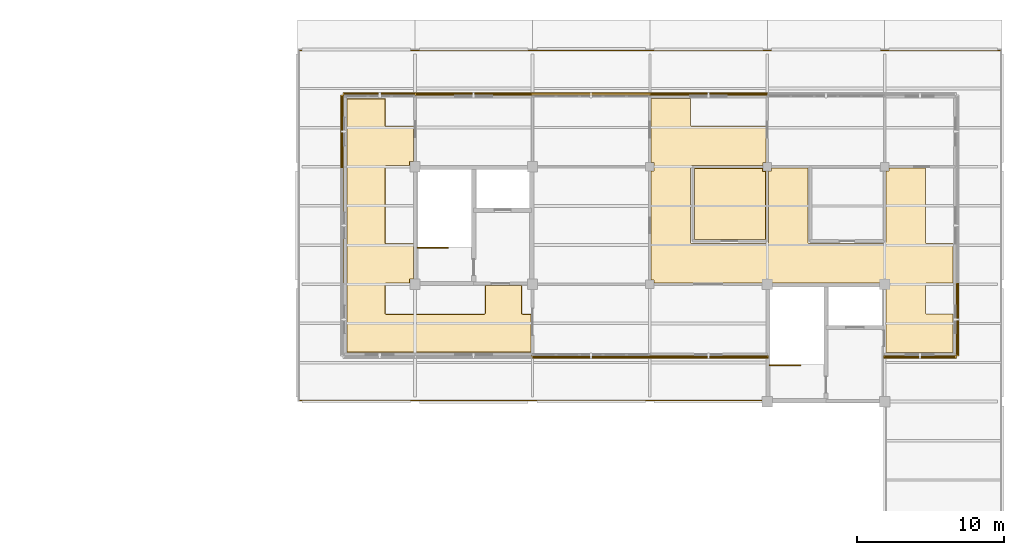
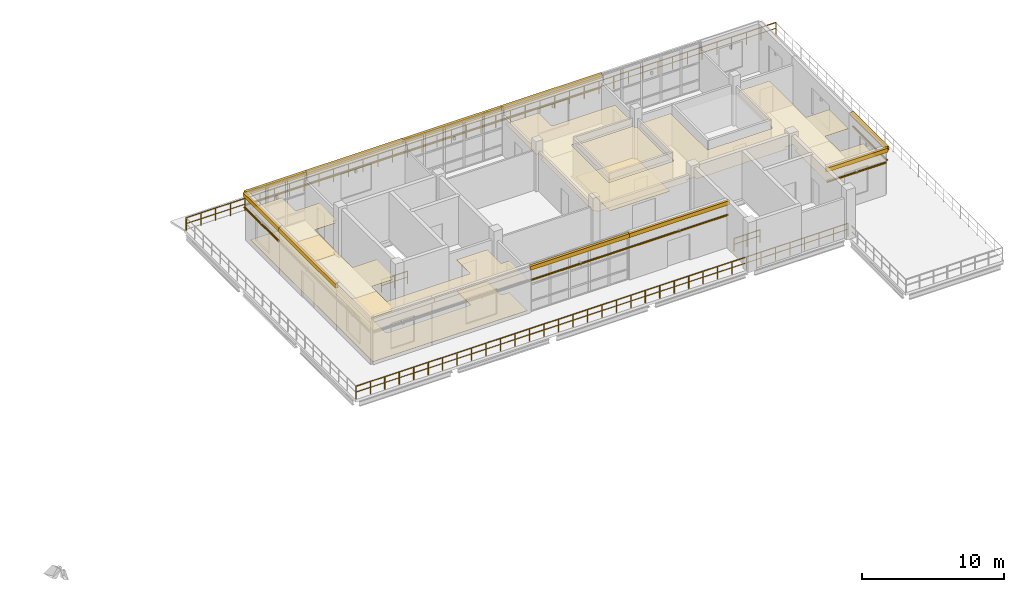
# One storey, part 23 of 24: 15 coverings, 9 shading devices, 4 railings.
"""IFC4 building model written with IfcOpenShell, lengths in metres."""

from ifc_helpers import new_model, si_unit, derived_unit, direction, frame, origin, origin_2d, place, context, subcontext, project, spatial, polyline, rectangle, circle, outline, extrude, material, layer, layer_set, material_profile, profile_set, type_object, element, save


model = new_model("IFC4")

# Units and contexts
model_context = context("Model", 3, precision=1e-05, world=origin(), true_north=direction((0.0, 1.0)))
body_context = subcontext(model_context, "Body", "Model", "MODEL_VIEW")
ifc_project = project(units=[si_unit("LENGTHUNIT", "METRE"), si_unit("AREAUNIT", "SQUARE_METRE"), si_unit("VOLUMEUNIT", "CUBIC_METRE"), si_unit("PLANEANGLEUNIT", "RADIAN"), si_unit("MASSUNIT", "GRAM", prefix="KILO"), derived_unit("THERMALTRANSMITTANCEUNIT", [(si_unit("MASSUNIT", "GRAM", prefix="KILO"), 1), (si_unit("TIMEUNIT", "SECOND"), -3), (si_unit("THERMODYNAMICTEMPERATUREUNIT", "KELVIN"), -1)])], contexts=[model_context])

# Site, building, storey
site_placement = place(None, origin())
site = spatial("IfcSite", under=ifc_project, at=site_placement, CompositionType="ELEMENT")
building_placement = place(site_placement, origin())
building = spatial("IfcBuilding", under=site, at=building_placement, Name="Veyamyaing Civic Hall", CompositionType="ELEMENT")
storey_placement = place(building_placement, frame((0.0, 0.0, 25.739990234375)))
storey = spatial("IfcBuildingStorey", under=building, at=storey_placement, Name="L06", CompositionType="ELEMENT", Elevation=25.739990234375)

# Coverings
ifc_material_1 = material(Name="White powder-coated aluminium 6063-T6", Category="aluminium")
ifc_layer_1 = layer(ifc_material_1, 0.2099609375, Name="White powder-coated aluminium 6063-T6")
ifc_layer_set_1 = layer_set([ifc_layer_1], Name="White powder-coated aluminium 6063-T6")
covering_type_1 = type_object("IfcCoveringType", Name="CL-03", PredefinedType="CLADDING", material=ifc_layer_set_1)
for number, where, z_axis, x_axis, name in (
    (1, (148.0, 91.0400390625, 3.73974609375), (0.0, 0.0, 1.0), (1.0, 0.0, 0.0), "Executive fascia white ribbon CL-03 L06-NE-S-2"),
    (2, (156.0, 91.0400390625, 3.73974609375), (0.0, 0.0, 1.0), (1.0, 0.0, 0.0), "Executive fascia white ribbon CL-03 L06-NE-S-3"),
):
    element("IfcCovering", number, at=place(storey_placement, frame(where, z_axis=z_axis, x_axis=x_axis)), inside=storey, type_object=covering_type_1, Name=name, PredefinedType="CLADDING", context=body_context, shape_type="SweptSolid", body=[
        extrude(rectangle(XDim=8.179931640625, YDim=0.2099609375, at=origin_2d()), origin(), (0.0, 0.0, 1.0), 0.340087890625),
    ])
for number, where, z_axis, x_axis, name in (
    (3, (170.39990234375, 91.0400390625, 3.73974609375), (0.0, 0.0, 1.0), (1.0, 0.0, 0.0), "Executive fascia white ribbon CL-03 L06-NE-S-5"),
    (4, (133.60009765625, 108.9599609375, 3.73974609375), (0.0, 0.0, 1.0), (1.0, 0.0, 0.0), "Executive fascia white ribbon CL-03 L06-NE-N-0"),
):
    element("IfcCovering", number, at=place(storey_placement, frame(where, z_axis=z_axis, x_axis=x_axis)), inside=storey, type_object=covering_type_1, Name=name, PredefinedType="CLADDING", context=body_context, shape_type="SweptSolid", body=[
        extrude(rectangle(XDim=4.97998046875, YDim=0.2099609375, at=origin_2d()), origin(), (0.0, 0.0, 1.0), 0.340087890625),
    ])
for number, where, z_axis, x_axis, name in (
    (5, (140.0, 108.9599609375, 3.73974609375), (0.0, 0.0, 1.0), (1.0, 0.0, 0.0), "Executive fascia white ribbon CL-03 L06-NE-N-1"),
    (6, (148.0, 108.9599609375, 3.73974609375), (0.0, 0.0, 1.0), (1.0, 0.0, 0.0), "Executive fascia white ribbon CL-03 L06-NE-N-2"),
    (7, (156.0, 108.9599609375, 3.73974609375), (0.0, 0.0, 1.0), (1.0, 0.0, 0.0), "Executive fascia white ribbon CL-03 L06-NE-N-3"),
    (8, (131.0400390625, 100.0, 3.73974609375), (0.0, 0.0, 1.0), (0.0, 1.0, 0.0), "Executive fascia white ribbon CL-03 L06-NE-W-1"),
):
    element("IfcCovering", number, at=place(storey_placement, frame(where, z_axis=z_axis, x_axis=x_axis)), inside=storey, type_object=covering_type_1, Name=name, PredefinedType="CLADDING", context=body_context, shape_type="SweptSolid", body=[
        extrude(rectangle(XDim=8.179931640625, YDim=0.2099609375, at=origin_2d()), origin(), (0.0, 0.0, 1.0), 0.340087890625),
    ])
for number, where, z_axis, x_axis, name in (
    (9, (131.0400390625, 106.39990234375, 3.73974609375), (0.0, 0.0, 1.0), (0.0, 1.0, 0.0), "Executive fascia white ribbon CL-03 L06-NE-W-2"),
    (10, (172.9599609375, 93.60009765625, 3.73974609375), (0.0, 0.0, 1.0), (0.0, 1.0, 0.0), "Executive fascia white ribbon CL-03 L06-NE-E-0"),
):
    element("IfcCovering", number, at=place(storey_placement, frame(where, z_axis=z_axis, x_axis=x_axis)), inside=storey, type_object=covering_type_1, Name=name, PredefinedType="CLADDING", context=body_context, shape_type="SweptSolid", body=[
        extrude(rectangle(XDim=4.97998046875, YDim=0.2099609375, at=origin_2d()), origin(), (0.0, 0.0, 1.0), 0.340087890625),
    ])
ifc_material_2 = material(Name="Perforated acoustic gypsum ceiling board")
ifc_layer_2 = layer(ifc_material_2, 0.02490234375, Name="Perforated acoustic gypsum ceiling board")
ifc_layer_set_2 = layer_set([ifc_layer_2], Name="Perforated acoustic gypsum ceiling board")
covering_type_2 = type_object("IfcCoveringType", Name="CLG-01", PredefinedType="CEILING", material=ifc_layer_set_2)
covering_1_placement = place(storey_placement, frame((0.0, 0.0, 2.699951171875)))
element("IfcCovering", 11, at=covering_1_placement, inside=storey, type_object=covering_type_2, Name="Acoustic suspended ceiling CLG-01 L06-C03", PredefinedType="CEILING", context=body_context, shape_type="SweptSolid", body=[
    extrude(outline(polyline([(133.9755859375, 106.843994140625), (133.984375, 106.81494140625), (134.002685546875, 106.79248046875), (134.029052734375, 106.7783203125), (134.0517578125, 106.77490234375), (135.925048828125, 106.77490234375), (135.925048828125, 104.3349609375), (135.6650390625, 104.3349609375), (135.6650390625, 104.074951171875), (134.0439453125, 104.074462890625), (134.014892578125, 104.065673828125), (133.992431640625, 104.047119140625), (133.978515625, 104.02099609375), (133.97509765625, 103.998291015625), (133.97509765625, 98.851806640625), (133.978515625, 98.828369140625), (133.987548828125, 98.80908203125), (134.009033203125, 98.78759765625), (134.0283203125, 98.778564453125), (134.0517578125, 98.77490234375), (135.925048828125, 98.77490234375), (135.925048828125, 96.3349609375), (135.6650390625, 96.3349609375), (135.6650390625, 96.074951171875), (134.0517578125, 96.074951171875), (134.027587890625, 96.0712890625), (134.015869140625, 96.06640625), (133.992431640625, 96.047119140625), (133.978515625, 96.02099609375), (133.97509765625, 95.998291015625), (133.97509765625, 94.0517578125), (133.978515625, 94.0283203125), (133.98779296875, 94.008544921875), (134.0029296875, 93.99169921875), (134.0146484375, 93.98388671875), (134.027587890625, 93.978515625), (134.0517578125, 93.97509765625), (140.715087890625, 93.976806640625), (140.734619140625, 93.98388671875), (140.757568359375, 94.002685546875), (140.771484375, 94.029052734375), (140.77490234375, 94.0517578125), (140.77490234375, 95.925048828125), (143.27490234375, 95.925048828125), (143.27490234375, 94.0517578125), (143.278564453125, 94.0283203125), (143.287841796875, 94.008544921875), (143.302490234375, 93.9921875), (143.3212890625, 93.98095703125), (143.34326171875, 93.9755859375), (143.925048828125, 93.97509765625), (143.925048828125, 91.35498046875), (131.35498046875, 91.35498046875), (131.35498046875, 108.64501953125), (133.97509765625, 108.64501953125), (133.9755859375, 106.843994140625)])), origin(), (0.0, 0.0, 1.0), 0.025146484375),
])
covering_2_placement = place(storey_placement, frame((0.0, 0.0, 2.699951171875)))
element("IfcCovering", 12, at=covering_2_placement, inside=storey, type_object=covering_type_2, Name="Acoustic suspended ceiling CLG-01 L06-C04", PredefinedType="CEILING", context=body_context, shape_type="SweptSolid", body=[
    extrude(outline(polyline([(154.8349609375, 104.072998046875), (154.8154296875, 104.066162109375), (154.79248046875, 104.047119140625), (154.7783203125, 104.02099609375), (154.77490234375, 103.998291015625), (154.77490234375, 98.8525390625), (154.78125, 98.821533203125), (154.79736328125, 98.79736328125), (154.821533203125, 98.78125), (154.8525390625, 98.77490234375), (159.99755859375, 98.77490234375), (160.028564453125, 98.78125), (160.052734375, 98.79736328125), (160.06884765625, 98.821533203125), (160.074951171875, 98.8525390625), (160.074951171875, 103.715087890625), (160.284912109375, 103.715087890625), (160.284912109375, 103.925048828125), (162.77490234375, 103.925048828125), (162.77490234375, 98.851318359375), (162.776611328125, 98.8359375), (162.7841796875, 98.814208984375), (162.791748046875, 98.802978515625), (162.80859375, 98.787841796875), (162.828369140625, 98.778564453125), (162.851806640625, 98.77490234375), (167.998291015625, 98.77490234375), (168.021728515625, 98.778564453125), (168.041015625, 98.78759765625), (168.0625, 98.80908203125), (168.071533203125, 98.828369140625), (168.074951171875, 98.851806640625), (168.074951171875, 103.715087890625), (168.284912109375, 103.715087890625), (168.284912109375, 103.925048828125), (170.77490234375, 103.925048828125), (170.77490234375, 98.8525390625), (170.78125, 98.82080078125), (170.792236328125, 98.802490234375), (170.80859375, 98.787841796875), (170.828369140625, 98.778564453125), (170.851806640625, 98.77490234375), (172.64501953125, 98.77490234375), (172.64501953125, 96.074951171875), (170.851806640625, 96.074951171875), (170.82763671875, 96.0712890625), (170.81591796875, 96.06640625), (170.79248046875, 96.047119140625), (170.7783203125, 96.02099609375), (170.77490234375, 95.998291015625), (170.77685546875, 94.034912109375), (170.783935546875, 94.015380859375), (170.802734375, 93.992431640625), (170.8291015625, 93.978515625), (170.851806640625, 93.97509765625), (172.64501953125, 93.97509765625), (172.64501953125, 91.35498046875), (168.074951171875, 91.35498046875), (168.074951171875, 95.6650390625), (168.3349609375, 95.6650390625), (168.3349609375, 96.3349609375), (167.6650390625, 96.3349609375), (167.6650390625, 96.074951171875), (160.3349609375, 96.074951171875), (160.3349609375, 96.3349609375), (159.6650390625, 96.3349609375), (159.6650390625, 96.074951171875), (152.284912109375, 96.074951171875), (152.284912109375, 96.284912109375), (152.074951171875, 96.284912109375), (152.074951171875, 103.715087890625), (152.284912109375, 103.715087890625), (152.284912109375, 104.284912109375), (152.074951171875, 104.284912109375), (152.074951171875, 108.64501953125), (154.77490234375, 108.64501953125), (154.77490234375, 106.851806640625), (154.7783203125, 106.8291015625), (154.79248046875, 106.802734375), (154.8154296875, 106.783935546875), (154.8349609375, 106.77685546875), (159.925048828125, 106.77490234375), (159.925048828125, 104.284912109375), (159.715087890625, 104.284912109375), (159.715087890625, 104.074951171875), (154.8349609375, 104.072998046875)])), origin(), (0.0, 0.0, 1.0), 0.025146484375),
])
covering_3_placement = place(storey_placement, frame((0.0, 0.0, 2.699951171875)))
element("IfcCovering", 13, at=covering_3_placement, inside=storey, type_object=covering_type_2, Name="Acoustic suspended ceiling CLG-01 L06-R003", PredefinedType="CEILING", context=body_context, shape_type="SweptSolid", body=[
    extrude(outline(polyline([(155.02490234375, 103.905029296875), (159.715087890625, 103.905029296875), (159.715087890625, 103.715087890625), (159.905029296875, 103.715087890625), (159.905029296875, 99.02490234375), (155.02490234375, 99.02490234375), (155.02490234375, 103.905029296875)])), origin(), (0.0, 0.0, 1.0), 0.025146484375),
])
ifc_material_3 = material(Name="Polished Mandalay marble and terrazzo flooring", Category="masonry")
ifc_layer_3 = layer(ifc_material_3, 0.030029296875, Name="Polished Mandalay marble and terrazzo flooring")
ifc_layer_set_3 = layer_set([ifc_layer_3], Name="Polished Mandalay marble and terrazzo flooring")
covering_type_3 = type_object("IfcCoveringType", Name="FLR-01", PredefinedType="FLOORING", material=ifc_layer_set_3)
covering_4_placement = place(storey_placement, origin())
element("IfcCovering", 14, at=covering_4_placement, inside=storey, type_object=covering_type_3, Name="Stone and terrazzo flooring FLR-01 L06-C03", PredefinedType="FLOORING", context=body_context, shape_type="SweptSolid", body=[
    extrude(outline(polyline([(133.950439453125, 106.840087890625), (133.9619140625, 106.802978515625), (133.986572265625, 106.772705078125), (134.02099609375, 106.75439453125), (134.050048828125, 106.75), (135.89990234375, 106.75), (135.89990234375, 104.360107421875), (135.639892578125, 104.360107421875), (135.639892578125, 104.10009765625), (134.040283203125, 104.099609375), (134.0029296875, 104.088134765625), (133.97265625, 104.0634765625), (133.954345703125, 104.029052734375), (133.949951171875, 104.0), (133.949951171875, 98.85009765625), (133.954345703125, 98.821044921875), (133.966796875, 98.79443359375), (133.994384765625, 98.766845703125), (134.02099609375, 98.75439453125), (134.050048828125, 98.75), (135.89990234375, 98.75), (135.89990234375, 96.360107421875), (135.639892578125, 96.360107421875), (135.639892578125, 96.10009765625), (134.050048828125, 96.10009765625), (134.02099609375, 96.095703125), (134.0029296875, 96.088134765625), (133.97265625, 96.0634765625), (133.954345703125, 96.029052734375), (133.949951171875, 96.0), (133.949951171875, 94.050048828125), (133.954345703125, 94.02099609375), (133.966796875, 93.994384765625), (133.986572265625, 93.97265625), (134.0029296875, 93.9619140625), (134.02099609375, 93.954345703125), (134.050048828125, 93.949951171875), (140.719482421875, 93.951904296875), (140.7470703125, 93.9619140625), (140.77734375, 93.986572265625), (140.795654296875, 94.02099609375), (140.800048828125, 94.050048828125), (140.800048828125, 95.89990234375), (143.25, 95.89990234375), (143.25, 94.050048828125), (143.25439453125, 94.02099609375), (143.266845703125, 93.994384765625), (143.28662109375, 93.97265625), (143.311767578125, 93.95751953125), (143.340087890625, 93.950439453125), (143.89990234375, 93.949951171875), (143.89990234375, 91.3798828125), (131.3798828125, 91.3798828125), (131.3798828125, 108.6201171875), (133.949951171875, 108.6201171875), (133.950439453125, 106.840087890625)])), origin(), (0.0, 0.0, 1.0), 0.030029296875),
])
covering_5_placement = place(storey_placement, origin())
element("IfcCovering", 15, at=covering_5_placement, inside=storey, type_object=covering_type_3, Name="Stone and terrazzo flooring FLR-01 L06-R003", PredefinedType="FLOORING", context=body_context, shape_type="SweptSolid", body=[
    extrude(outline(polyline([(155.050048828125, 103.8798828125), (159.68994140625, 103.8798828125), (159.68994140625, 103.68994140625), (159.8798828125, 103.68994140625), (159.8798828125, 99.050048828125), (155.050048828125, 99.050048828125), (155.050048828125, 103.8798828125)])), origin(), (0.0, 0.0, 1.0), 0.030029296875),
])

# Railings
ifc_material_4 = material(Name="Steel S355J2", Category="steel")
railing_type = type_object("IfcRailingType", Name="RL-01", PredefinedType="BALUSTRADE", material=ifc_material_4)
railing_1_placement = place(storey_placement, frame((128.080078125, 111.919921875, 0.0)))
element("IfcRailing", 16, at=railing_1_placement, inside=storey, type_object=railing_type, Name="Setback terrace balustrade RL-01 L06.2.2", PredefinedType="BALUSTRADE", context=body_context, shape_type="SweptSolid", body=[
    extrude(circle(Radius=0.02392578125, at=origin_2d()), frame((0.0, 0.0, 1.076171875), z_axis=(1.0, 0.0, 0.0), x_axis=(0.0, 1.0, 0.0)), (0.0, 0.0, 1.0), 47.83984375),
    extrude(circle(Radius=0.01416015625, at=origin_2d()), frame((0.0, 0.0, 0.572021484375), z_axis=(1.0, 0.0, 0.0), x_axis=(0.0, 1.0, 0.0)), (0.0, 0.0, 1.0), 47.83984375),
    extrude(circle(Radius=0.02099609375, at=origin_2d()), origin(), (0.0, 0.0, 1.0), 1.052001953125),
    extrude(circle(Radius=0.02099609375, at=origin_2d()), frame((1.196044921875, 0.0, 0.0)), (0.0, 0.0, 1.0), 1.052001953125),
    extrude(circle(Radius=0.02099609375, at=origin_2d()), frame((2.39208984375, 0.0, 0.0)), (0.0, 0.0, 1.0), 1.052001953125),
    extrude(circle(Radius=0.02099609375, at=origin_2d()), frame((3.587890625, 0.0, 0.0)), (0.0, 0.0, 1.0), 1.052001953125),
    extrude(circle(Radius=0.02099609375, at=origin_2d()), frame((4.783935546875, 0.0, 0.0)), (0.0, 0.0, 1.0), 1.052001953125),
    extrude(circle(Radius=0.02099609375, at=origin_2d()), frame((5.97998046875, 0.0, 0.0)), (0.0, 0.0, 1.0), 1.052001953125),
    extrude(circle(Radius=0.02099609375, at=origin_2d()), frame((7.176025390625, 0.0, 0.0)), (0.0, 0.0, 1.0), 1.052001953125),
    extrude(circle(Radius=0.02099609375, at=origin_2d()), frame((8.3720703125, 0.0, 0.0)), (0.0, 0.0, 1.0), 1.052001953125),
    extrude(circle(Radius=0.02099609375, at=origin_2d()), frame((9.56787109375, 0.0, 0.0)), (0.0, 0.0, 1.0), 1.052001953125),
    extrude(circle(Radius=0.02099609375, at=origin_2d()), frame((10.763916015625, 0.0, 0.0)), (0.0, 0.0, 1.0), 1.052001953125),
    extrude(circle(Radius=0.02099609375, at=origin_2d()), frame((11.9599609375, 0.0, 0.0)), (0.0, 0.0, 1.0), 1.052001953125),
    extrude(circle(Radius=0.02099609375, at=origin_2d()), frame((13.156005859375, 0.0, 0.0)), (0.0, 0.0, 1.0), 1.052001953125),
    extrude(circle(Radius=0.02099609375, at=origin_2d()), frame((14.35205078125, 0.0, 0.0)), (0.0, 0.0, 1.0), 1.052001953125),
    extrude(circle(Radius=0.02099609375, at=origin_2d()), frame((15.5478515625, 0.0, 0.0)), (0.0, 0.0, 1.0), 1.052001953125),
    extrude(circle(Radius=0.02099609375, at=origin_2d()), frame((16.743896484375, 0.0, 0.0)), (0.0, 0.0, 1.0), 1.052001953125),
    extrude(circle(Radius=0.02099609375, at=origin_2d()), frame((17.93994140625, 0.0, 0.0)), (0.0, 0.0, 1.0), 1.052001953125),
    extrude(circle(Radius=0.02099609375, at=origin_2d()), frame((19.135986328125, 0.0, 0.0)), (0.0, 0.0, 1.0), 1.052001953125),
    extrude(circle(Radius=0.02099609375, at=origin_2d()), frame((20.33203125, 0.0, 0.0)), (0.0, 0.0, 1.0), 1.052001953125),
    extrude(circle(Radius=0.02099609375, at=origin_2d()), frame((21.52783203125, 0.0, 0.0)), (0.0, 0.0, 1.0), 1.052001953125),
    extrude(circle(Radius=0.02099609375, at=origin_2d()), frame((22.723876953125, 0.0, 0.0)), (0.0, 0.0, 1.0), 1.052001953125),
    extrude(circle(Radius=0.02099609375, at=origin_2d()), frame((23.919921875, 0.0, 0.0)), (0.0, 0.0, 1.0), 1.052001953125),
    extrude(circle(Radius=0.02099609375, at=origin_2d()), frame((25.115966796875, 0.0, 0.0)), (0.0, 0.0, 1.0), 1.052001953125),
    extrude(circle(Radius=0.02099609375, at=origin_2d()), frame((26.31201171875, 0.0, 0.0)), (0.0, 0.0, 1.0), 1.052001953125),
    extrude(circle(Radius=0.02099609375, at=origin_2d()), frame((27.5078125, 0.0, 0.0)), (0.0, 0.0, 1.0), 1.052001953125),
    extrude(circle(Radius=0.02099609375, at=origin_2d()), frame((28.703857421875, 0.0, 0.0)), (0.0, 0.0, 1.0), 1.052001953125),
    extrude(circle(Radius=0.02099609375, at=origin_2d()), frame((29.89990234375, 0.0, 0.0)), (0.0, 0.0, 1.0), 1.052001953125),
    extrude(circle(Radius=0.02099609375, at=origin_2d()), frame((31.095947265625, 0.0, 0.0)), (0.0, 0.0, 1.0), 1.052001953125),
    extrude(circle(Radius=0.02099609375, at=origin_2d()), frame((32.2919921875, 0.0, 0.0)), (0.0, 0.0, 1.0), 1.052001953125),
    extrude(circle(Radius=0.02099609375, at=origin_2d()), frame((33.48779296875, 0.0, 0.0)), (0.0, 0.0, 1.0), 1.052001953125),
    extrude(circle(Radius=0.02099609375, at=origin_2d()), frame((34.683837890625, 0.0, 0.0)), (0.0, 0.0, 1.0), 1.052001953125),
    extrude(circle(Radius=0.02099609375, at=origin_2d()), frame((35.8798828125, 0.0, 0.0)), (0.0, 0.0, 1.0), 1.052001953125),
    extrude(circle(Radius=0.02099609375, at=origin_2d()), frame((37.075927734375, 0.0, 0.0)), (0.0, 0.0, 1.0), 1.052001953125),
    extrude(circle(Radius=0.02099609375, at=origin_2d()), frame((38.27197265625, 0.0, 0.0)), (0.0, 0.0, 1.0), 1.052001953125),
    extrude(circle(Radius=0.02099609375, at=origin_2d()), frame((39.4677734375, 0.0, 0.0)), (0.0, 0.0, 1.0), 1.052001953125),
    extrude(circle(Radius=0.02099609375, at=origin_2d()), frame((40.663818359375, 0.0, 0.0)), (0.0, 0.0, 1.0), 1.052001953125),
    extrude(circle(Radius=0.02099609375, at=origin_2d()), frame((41.85986328125, 0.0, 0.0)), (0.0, 0.0, 1.0), 1.052001953125),
    extrude(circle(Radius=0.02099609375, at=origin_2d()), frame((43.055908203125, 0.0, 0.0)), (0.0, 0.0, 1.0), 1.052001953125),
    extrude(circle(Radius=0.02099609375, at=origin_2d()), frame((44.251953125, 0.0, 0.0)), (0.0, 0.0, 1.0), 1.052001953125),
    extrude(circle(Radius=0.02099609375, at=origin_2d()), frame((45.44775390625, 0.0, 0.0)), (0.0, 0.0, 1.0), 1.052001953125),
    extrude(circle(Radius=0.02099609375, at=origin_2d()), frame((46.643798828125, 0.0, 0.0)), (0.0, 0.0, 1.0), 1.052001953125),
    extrude(circle(Radius=0.02099609375, at=origin_2d()), frame((47.83984375, 0.0, 0.0)), (0.0, 0.0, 1.0), 1.052001953125),
])
railing_2_placement = place(storey_placement, frame((168.0, 88.080078125, 0.0)))
element("IfcRailing", 17, at=railing_2_placement, inside=storey, type_object=railing_type, Name="Setback terrace balustrade RL-01 L06.2.22", PredefinedType="BALUSTRADE", context=body_context, shape_type="SweptSolid", body=[
    extrude(circle(Radius=0.02392578125, at=origin_2d()), frame((0.0, 0.0, 1.076171875), z_axis=(-1.0, 0.0, 0.0), x_axis=(0.0, -1.0, 0.0)), (0.0, 0.0, 1.0), 39.919921875),
    extrude(circle(Radius=0.01416015625, at=origin_2d()), frame((0.0, 0.0, 0.572021484375), z_axis=(-1.0, 0.0, 0.0), x_axis=(0.0, -1.0, 0.0)), (0.0, 0.0, 1.0), 39.919921875),
    extrude(circle(Radius=0.02099609375, at=origin_2d()), origin(), (0.0, 0.0, 1.0), 1.052001953125),
    extrude(circle(Radius=0.02099609375, at=origin_2d()), frame((-1.174072265625, 0.0, 0.0)), (0.0, 0.0, 1.0), 1.052001953125),
    extrude(circle(Radius=0.02099609375, at=origin_2d()), frame((-2.34814453125, 0.0, 0.0)), (0.0, 0.0, 1.0), 1.052001953125),
    extrude(circle(Radius=0.02099609375, at=origin_2d()), frame((-3.5224609375, 0.0, 0.0)), (0.0, 0.0, 1.0), 1.052001953125),
    extrude(circle(Radius=0.02099609375, at=origin_2d()), frame((-4.696533203125, 0.0, 0.0)), (0.0, 0.0, 1.0), 1.052001953125),
    extrude(circle(Radius=0.02099609375, at=origin_2d()), frame((-5.87060546875, 0.0, 0.0)), (0.0, 0.0, 1.0), 1.052001953125),
    extrude(circle(Radius=0.02099609375, at=origin_2d()), frame((-7.044677734375, 0.0, 0.0)), (0.0, 0.0, 1.0), 1.052001953125),
    extrude(circle(Radius=0.02099609375, at=origin_2d()), frame((-8.21875, 0.0, 0.0)), (0.0, 0.0, 1.0), 1.052001953125),
    extrude(circle(Radius=0.02099609375, at=origin_2d()), frame((-9.392822265625, 0.0, 0.0)), (0.0, 0.0, 1.0), 1.052001953125),
    extrude(circle(Radius=0.02099609375, at=origin_2d()), frame((-10.567138671875, 0.0, 0.0)), (0.0, 0.0, 1.0), 1.052001953125),
    extrude(circle(Radius=0.02099609375, at=origin_2d()), frame((-11.7412109375, 0.0, 0.0)), (0.0, 0.0, 1.0), 1.052001953125),
    extrude(circle(Radius=0.02099609375, at=origin_2d()), frame((-12.915283203125, 0.0, 0.0)), (0.0, 0.0, 1.0), 1.052001953125),
    extrude(circle(Radius=0.02099609375, at=origin_2d()), frame((-14.08935546875, 0.0, 0.0)), (0.0, 0.0, 1.0), 1.052001953125),
    extrude(circle(Radius=0.02099609375, at=origin_2d()), frame((-15.263427734375, 0.0, 0.0)), (0.0, 0.0, 1.0), 1.052001953125),
    extrude(circle(Radius=0.02099609375, at=origin_2d()), frame((-16.4375, 0.0, 0.0)), (0.0, 0.0, 1.0), 1.052001953125),
    extrude(circle(Radius=0.02099609375, at=origin_2d()), frame((-17.61181640625, 0.0, 0.0)), (0.0, 0.0, 1.0), 1.052001953125),
    extrude(circle(Radius=0.02099609375, at=origin_2d()), frame((-18.785888671875, 0.0, 0.0)), (0.0, 0.0, 1.0), 1.052001953125),
    extrude(circle(Radius=0.02099609375, at=origin_2d()), frame((-19.9599609375, 0.0, 0.0)), (0.0, 0.0, 1.0), 1.052001953125),
    extrude(circle(Radius=0.02099609375, at=origin_2d()), frame((-21.134033203125, 0.0, 0.0)), (0.0, 0.0, 1.0), 1.052001953125),
    extrude(circle(Radius=0.02099609375, at=origin_2d()), frame((-22.30810546875, 0.0, 0.0)), (0.0, 0.0, 1.0), 1.052001953125),
    extrude(circle(Radius=0.02099609375, at=origin_2d()), frame((-23.482421875, 0.0, 0.0)), (0.0, 0.0, 1.0), 1.052001953125),
    extrude(circle(Radius=0.02099609375, at=origin_2d()), frame((-24.656494140625, 0.0, 0.0)), (0.0, 0.0, 1.0), 1.052001953125),
    extrude(circle(Radius=0.02099609375, at=origin_2d()), frame((-25.83056640625, 0.0, 0.0)), (0.0, 0.0, 1.0), 1.052001953125),
    extrude(circle(Radius=0.02099609375, at=origin_2d()), frame((-27.004638671875, 0.0, 0.0)), (0.0, 0.0, 1.0), 1.052001953125),
    extrude(circle(Radius=0.02099609375, at=origin_2d()), frame((-28.1787109375, 0.0, 0.0)), (0.0, 0.0, 1.0), 1.052001953125),
    extrude(circle(Radius=0.02099609375, at=origin_2d()), frame((-29.352783203125, 0.0, 0.0)), (0.0, 0.0, 1.0), 1.052001953125),
    extrude(circle(Radius=0.02099609375, at=origin_2d()), frame((-30.527099609375, 0.0, 0.0)), (0.0, 0.0, 1.0), 1.052001953125),
    extrude(circle(Radius=0.02099609375, at=origin_2d()), frame((-31.701171875, 0.0, 0.0)), (0.0, 0.0, 1.0), 1.052001953125),
    extrude(circle(Radius=0.02099609375, at=origin_2d()), frame((-32.875244140625, 0.0, 0.0)), (0.0, 0.0, 1.0), 1.052001953125),
    extrude(circle(Radius=0.02099609375, at=origin_2d()), frame((-34.04931640625, 0.0, 0.0)), (0.0, 0.0, 1.0), 1.052001953125),
    extrude(circle(Radius=0.02099609375, at=origin_2d()), frame((-35.223388671875, 0.0, 0.0)), (0.0, 0.0, 1.0), 1.052001953125),
    extrude(circle(Radius=0.02099609375, at=origin_2d()), frame((-36.3974609375, 0.0, 0.0)), (0.0, 0.0, 1.0), 1.052001953125),
    extrude(circle(Radius=0.02099609375, at=origin_2d()), frame((-37.57177734375, 0.0, 0.0)), (0.0, 0.0, 1.0), 1.052001953125),
    extrude(circle(Radius=0.02099609375, at=origin_2d()), frame((-38.745849609375, 0.0, 0.0)), (0.0, 0.0, 1.0), 1.052001953125),
    extrude(circle(Radius=0.02099609375, at=origin_2d()), frame((-39.919921875, 0.0, 0.0)), (0.0, 0.0, 1.0), 1.052001953125),
])
for number, where, name in (
    (18, (160.159912109375, 90.47998046875, 0.0), "Top-landing stair well guard RL-01 ST-03 L06"),
    (19, (136.159912109375, 98.47998046875, 0.0), "Top-landing stair well guard RL-01 ST-04 L06"),
):
    element("IfcRailing", number, at=place(storey_placement, frame(where)), inside=storey, type_object=railing_type, Name=name, PredefinedType="BALUSTRADE", context=body_context, shape_type="SweptSolid", body=[
        extrude(circle(Radius=0.02392578125, at=origin_2d()), frame((0.0, 0.0, 1.076171875), z_axis=(1.0, 0.0, 0.0), x_axis=(0.0, 1.0, 0.0)), (0.0, 0.0, 1.0), 2.10009765625),
        extrude(circle(Radius=0.01416015625, at=origin_2d()), frame((0.0, 0.0, 0.572021484375), z_axis=(1.0, 0.0, 0.0), x_axis=(0.0, 1.0, 0.0)), (0.0, 0.0, 1.0), 2.10009765625),
        extrude(circle(Radius=0.02099609375, at=origin_2d()), origin(), (0.0, 0.0, 1.0), 1.052001953125),
        extrude(circle(Radius=0.02099609375, at=origin_2d()), frame((1.050048828125, 0.0, 0.0)), (0.0, 0.0, 1.0), 1.052001953125),
        extrude(circle(Radius=0.02099609375, at=origin_2d()), frame((2.10009765625, 0.0, 0.0)), (0.0, 0.0, 1.0), 1.052001953125),
    ])

# Shading devices
ifc_material_profile = material_profile(ifc_material_1, circle(Radius=0.074951171875, at=origin_2d()), Name="SHADE-TUBE-150")
ifc_profile_set = profile_set([ifc_material_profile], Name="White powder-coated aluminium 6063-T6")
shading_device_type = type_object("IfcShadingDeviceType", Name="SH-03", PredefinedType="USERDEFINED", material=ifc_profile_set)
for number, where, z_axis, x_axis, name in (
    (20, (144.0, 91.010009765625, 2.85009765625), (1.0, 0.0, 0.0), (0.0, 1.0, 0.0), "Executive sunshade ribbon SH-03 L06-NE-S-2"),
    (21, (152.0, 91.010009765625, 2.85009765625), (1.0, 0.0, 0.0), (0.0, 1.0, 0.0), "Executive sunshade ribbon SH-03 L06-NE-S-3"),
):
    element("IfcShadingDevice", number, at=place(storey_placement, frame(where, z_axis=z_axis, x_axis=x_axis)), inside=storey, type_object=shading_device_type, Name=name, ObjectType="SUNSHADE", PredefinedType="USERDEFINED", context=body_context, shape_type="SweptSolid", body=[
        extrude(circle(Radius=0.074951171875, at=origin_2d()), origin(), (0.0, 0.0, 1.0), 8.0),
    ])
for number, where, z_axis, x_axis, name in (
    (22, (168.0, 91.010009765625, 2.85009765625), (1.0, 0.0, 0.0), (0.0, 1.0, 0.0), "Executive sunshade ribbon SH-03 L06-NE-S-5"),
    (23, (131.199951171875, 108.989990234375, 2.85009765625), (1.0, 0.0, 0.0), (0.0, 1.0, 0.0), "Executive sunshade ribbon SH-03 L06-NE-N-0"),
):
    element("IfcShadingDevice", number, at=place(storey_placement, frame(where, z_axis=z_axis, x_axis=x_axis)), inside=storey, type_object=shading_device_type, Name=name, ObjectType="SUNSHADE", PredefinedType="USERDEFINED", context=body_context, shape_type="SweptSolid", body=[
        extrude(circle(Radius=0.074951171875, at=origin_2d()), origin(), (0.0, 0.0, 1.0), 4.800048828125),
    ])
for number, where, z_axis, x_axis, name in (
    (24, (136.0, 108.989990234375, 2.85009765625), (1.0, 0.0, 0.0), (0.0, 1.0, 0.0), "Executive sunshade ribbon SH-03 L06-NE-N-1"),
    (25, (144.0, 108.989990234375, 2.85009765625), (1.0, 0.0, 0.0), (0.0, 1.0, 0.0), "Executive sunshade ribbon SH-03 L06-NE-N-2"),
    (26, (152.0, 108.989990234375, 2.85009765625), (1.0, 0.0, 0.0), (0.0, 1.0, 0.0), "Executive sunshade ribbon SH-03 L06-NE-N-3"),
):
    element("IfcShadingDevice", number, at=place(storey_placement, frame(where, z_axis=z_axis, x_axis=x_axis)), inside=storey, type_object=shading_device_type, Name=name, ObjectType="SUNSHADE", PredefinedType="USERDEFINED", context=body_context, shape_type="SweptSolid", body=[
        extrude(circle(Radius=0.074951171875, at=origin_2d()), origin(), (0.0, 0.0, 1.0), 8.0),
    ])
for number, where, z_axis, x_axis, name in (
    (27, (131.010009765625, 104.0, 2.85009765625), (0.0, 1.0, 0.0), (-1.0, 0.0, 0.0), "Executive sunshade ribbon SH-03 L06-NE-W-2"),
    (28, (172.989990234375, 91.199951171875, 2.85009765625), (0.0, 1.0, 0.0), (-1.0, 0.0, 0.0), "Executive sunshade ribbon SH-03 L06-NE-E-0"),
):
    element("IfcShadingDevice", number, at=place(storey_placement, frame(where, z_axis=z_axis, x_axis=x_axis)), inside=storey, type_object=shading_device_type, Name=name, ObjectType="SUNSHADE", PredefinedType="USERDEFINED", context=body_context, shape_type="SweptSolid", body=[
        extrude(circle(Radius=0.074951171875, at=origin_2d()), origin(), (0.0, 0.0, 1.0), 4.800048828125),
    ])

save(model, "model.ifc")
